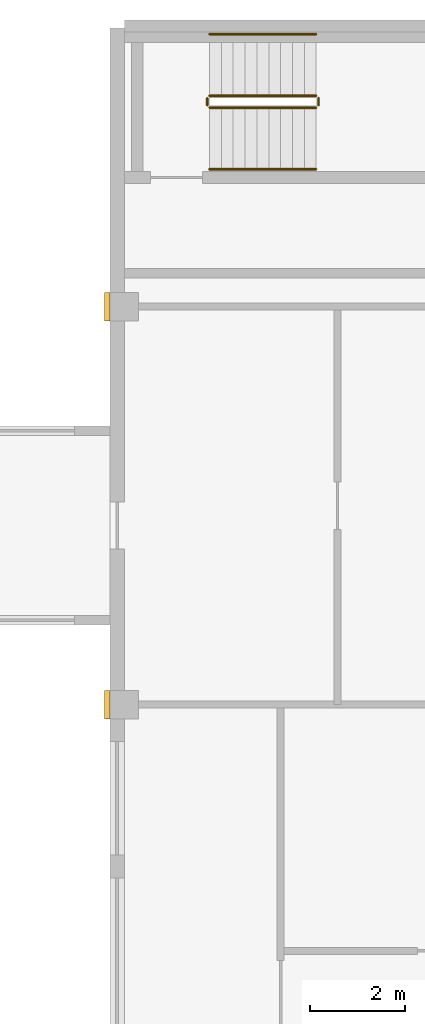
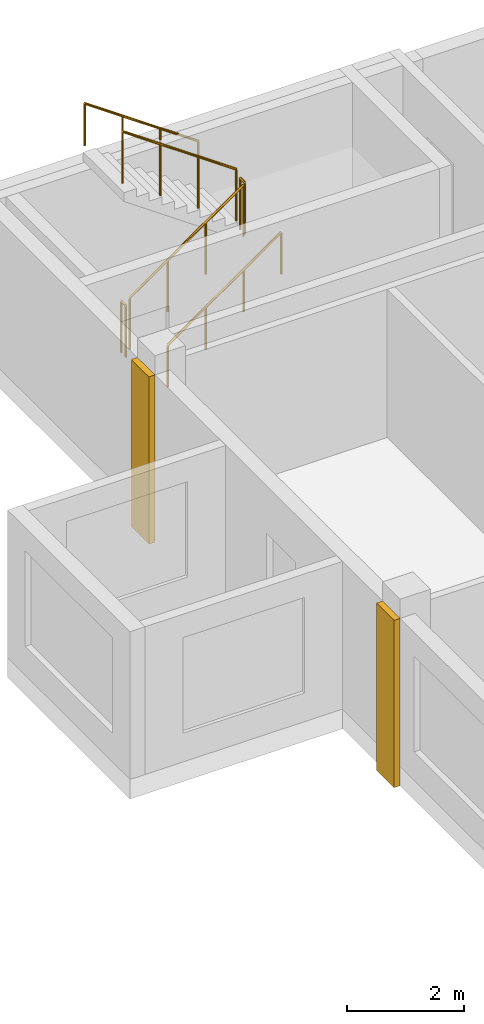
# One storey, part 9 of 9: 6 railings, 2 coverings.
"""IFC4 building model written with IfcOpenShell, lengths in metres."""

from ifc_helpers import new_model, si_unit, direction, frame, origin, origin_2d, place, context, subcontext, project, spatial, rectangle, circle, extrude, source, transform, mapped, material, type_object, element, save


model = new_model("IFC4")

# Units and contexts
model_context = context("Model", 3, precision=1e-05, world=origin(), true_north=direction((0.0, 1.0)))
body_context = subcontext(model_context, "Body", "Model", "MODEL_VIEW")
ifc_project = project(units=[si_unit("LENGTHUNIT", "METRE"), si_unit("AREAUNIT", "SQUARE_METRE"), si_unit("VOLUMEUNIT", "CUBIC_METRE"), si_unit("PLANEANGLEUNIT", "RADIAN"), si_unit("MASSUNIT", "GRAM", prefix="KILO")], contexts=[model_context])

# Site, building, storey
site_placement = place(None, origin())
site = spatial("IfcSite", under=ifc_project, at=site_placement, CompositionType="ELEMENT")
building_placement = place(site_placement, origin())
building = spatial("IfcBuilding", under=site, at=building_placement, Name="Aurelian Terraces", CompositionType="ELEMENT")
storey_placement = place(building_placement, frame((0.0, 0.0, 330.0)))
storey = spatial("IfcBuildingStorey", under=building, at=storey_placement, Name="L77", CompositionType="ELEMENT", Elevation=330.0)

# Coverings
ifc_material_1 = material(Name="Terracotta rainscreen cladding relief", Category="masonry")
covering_type = type_object("IfcCoveringType", Name="BAGUETTE-TC", PredefinedType="CLADDING", material=ifc_material_1)
shared_shape_1 = source(origin(), body_context, "Body", "SweptSolid", [
    extrude(rectangle(XDim=0.12, YDim=0.6, at=origin_2d()), origin(), (0.0, 0.0, 1.0), 3.5),
])
for number, where, z_axis, x_axis, name in (
    (1, (10.44, 29.4, -0.4), (0.0, 0.0, 1.0), (1.0, 0.0, 0.0), "BAGUETTE pier L77 2"),
    (2, (10.44, 37.8, -0.4), (0.0, 0.0, 1.0), (1.0, 0.0, 0.0), "BAGUETTE pier L77 3"),
):
    element("IfcCovering", number, at=place(storey_placement, frame(where, z_axis=z_axis, x_axis=x_axis)), inside=storey, type_object=covering_type, Name=name, PredefinedType="CLADDING", context=body_context, shape_type="MappedRepresentation", body=[
        mapped(shared_shape_1, transform((0.0, 0.0, 0.0), scale=1.0)),
    ])

# Railings
ifc_material_2 = material(Name="Stainless steel", Category="steel")
railing_type_1 = type_object("IfcRailingType", Name="Stair guard 1100", PredefinedType="GUARDRAIL", material=ifc_material_2)
shared_shape_2 = source(origin(), body_context, "Body", "SweptSolid", [
    extrude(circle(Radius=0.024, at=origin_2d()), frame((0.0, 0.0, 1.076), z_axis=(0.0, 1.0, 0.0), x_axis=(-1.0, 0.0, 0.0)), (0.0, 0.0, 1.0), 0.15),
    extrude(circle(Radius=0.021, at=origin_2d()), origin(), (0.0, 0.0, 1.0), 1.052),
    extrude(circle(Radius=0.021, at=origin_2d()), frame((0.0, 0.15, 0.0)), (0.0, 0.0, 1.0), 1.052),
])
for number, where, name in (
    (3, (14.9, 42.05, 1.75), "L77 S3U stair guard 2"),
    (4, (12.55, 42.05, 0.0), "L77 S3U stair guard 4"),
):
    element("IfcRailing", number, at=place(storey_placement, frame(where)), inside=storey, type_object=railing_type_1, Name=name, PredefinedType="GUARDRAIL", context=body_context, shape_type="MappedRepresentation", body=[
        mapped(shared_shape_2, transform((0.0, 0.0, 0.0), scale=1.0)),
    ])
shared_shape_3 = source(origin(), body_context, "Body", "SweptSolid", [
    extrude(circle(Radius=0.024, at=origin_2d()), frame((0.0, 0.0, 1.076), z_axis=(0.819231920519, 0.0, 0.573462344363), x_axis=(0.0, 1.0, 0.0)), (0.0, 0.0, 1.0), 2.7465),
    extrude(circle(Radius=0.021, at=origin_2d()), origin(), (0.0, 0.0, 1.0), 1.052),
    extrude(circle(Radius=0.021, at=origin_2d()), frame((0.75, 0.0, 0.525)), (0.0, 0.0, 1.0), 1.052),
    extrude(circle(Radius=0.021, at=origin_2d()), frame((1.5, 0.0, 1.05)), (0.0, 0.0, 1.0), 1.052),
    extrude(circle(Radius=0.021, at=origin_2d()), frame((2.25, 0.0, 1.575)), (0.0, 0.0, 1.0), 1.052),
])
railing_1_placement = place(storey_placement, frame((12.6, 42.0, 0.175)))
element("IfcRailing", 5, at=railing_1_placement, inside=storey, type_object=railing_type_1, Name="L77 S3U stair guard 1", PredefinedType="GUARDRAIL", context=body_context, shape_type="MappedRepresentation", body=[
    mapped(shared_shape_3, transform((0.0, 0.0, 0.0), scale=1.0)),
])
shared_shape_4 = source(origin(), body_context, "Body", "SweptSolid", [
    extrude(circle(Radius=0.024, at=origin_2d()), frame((0.0, 0.0, 1.076), z_axis=(-0.819231920519, 0.0, 0.573462344363), x_axis=(0.0, -1.0, 0.0)), (0.0, 0.0, 1.0), 2.7465),
    extrude(circle(Radius=0.021, at=origin_2d()), origin(), (0.0, 0.0, 1.0), 1.052),
    extrude(circle(Radius=0.021, at=origin_2d()), frame((-0.75, 0.0, 0.525)), (0.0, 0.0, 1.0), 1.052),
    extrude(circle(Radius=0.021, at=origin_2d()), frame((-1.5, 0.0, 1.05)), (0.0, 0.0, 1.0), 1.052),
    extrude(circle(Radius=0.021, at=origin_2d()), frame((-2.25, 0.0, 1.575)), (0.0, 0.0, 1.0), 1.052),
])
railing_2_placement = place(storey_placement, frame((14.85, 42.25, 1.925)))
element("IfcRailing", 6, at=railing_2_placement, inside=storey, type_object=railing_type_1, Name="L77 S3U stair guard 3", PredefinedType="GUARDRAIL", context=body_context, shape_type="MappedRepresentation", body=[
    mapped(shared_shape_4, transform((0.0, 0.0, 0.0), scale=1.0)),
])
railing_type_2 = type_object("IfcRailingType", Name="Stair handrail", PredefinedType="HANDRAIL", material=ifc_material_2)
shared_shape_5 = source(origin(), body_context, "Body", "SweptSolid", [
    extrude(circle(Radius=0.024, at=origin_2d()), frame((0.0, 0.0, 0.876), z_axis=(0.819231920519, 0.0, 0.573462344363), x_axis=(0.0, 1.0, 0.0)), (0.0, 0.0, 1.0), 2.7465),
    extrude(circle(Radius=0.021, at=origin_2d()), origin(), (0.0, 0.0, 1.0), 0.852),
    extrude(circle(Radius=0.021, at=origin_2d()), frame((0.75, 0.0, 0.525)), (0.0, 0.0, 1.0), 0.852),
    extrude(circle(Radius=0.021, at=origin_2d()), frame((1.5, 0.0, 1.05)), (0.0, 0.0, 1.0), 0.852),
    extrude(circle(Radius=0.021, at=origin_2d()), frame((2.25, 0.0, 1.575)), (0.0, 0.0, 1.0), 0.852),
])
railing_3_placement = place(storey_placement, frame((12.6, 40.7, 0.175)))
element("IfcRailing", 7, at=railing_3_placement, inside=storey, type_object=railing_type_2, Name="L77 S3U stair handrail 1", PredefinedType="HANDRAIL", context=body_context, shape_type="MappedRepresentation", body=[
    mapped(shared_shape_5, transform((0.0, 0.0, 0.0), scale=1.0)),
])
shared_shape_6 = source(origin(), body_context, "Body", "SweptSolid", [
    extrude(circle(Radius=0.024, at=origin_2d()), frame((0.0, 0.0, 0.876), z_axis=(-0.819231920519, 0.0, 0.573462344363), x_axis=(0.0, -1.0, 0.0)), (0.0, 0.0, 1.0), 2.7465),
    extrude(circle(Radius=0.021, at=origin_2d()), origin(), (0.0, 0.0, 1.0), 0.852),
    extrude(circle(Radius=0.021, at=origin_2d()), frame((-0.75, 0.0, 0.525)), (0.0, 0.0, 1.0), 0.852),
    extrude(circle(Radius=0.021, at=origin_2d()), frame((-1.5, 0.0, 1.05)), (0.0, 0.0, 1.0), 0.852),
    extrude(circle(Radius=0.021, at=origin_2d()), frame((-2.25, 0.0, 1.575)), (0.0, 0.0, 1.0), 0.852),
])
railing_4_placement = place(storey_placement, frame((14.85, 43.55, 1.925)))
element("IfcRailing", 8, at=railing_4_placement, inside=storey, type_object=railing_type_2, Name="L77 S3U stair handrail 2", PredefinedType="HANDRAIL", context=body_context, shape_type="MappedRepresentation", body=[
    mapped(shared_shape_6, transform((0.0, 0.0, 0.0), scale=1.0)),
])

save(model, "model.ifc")
